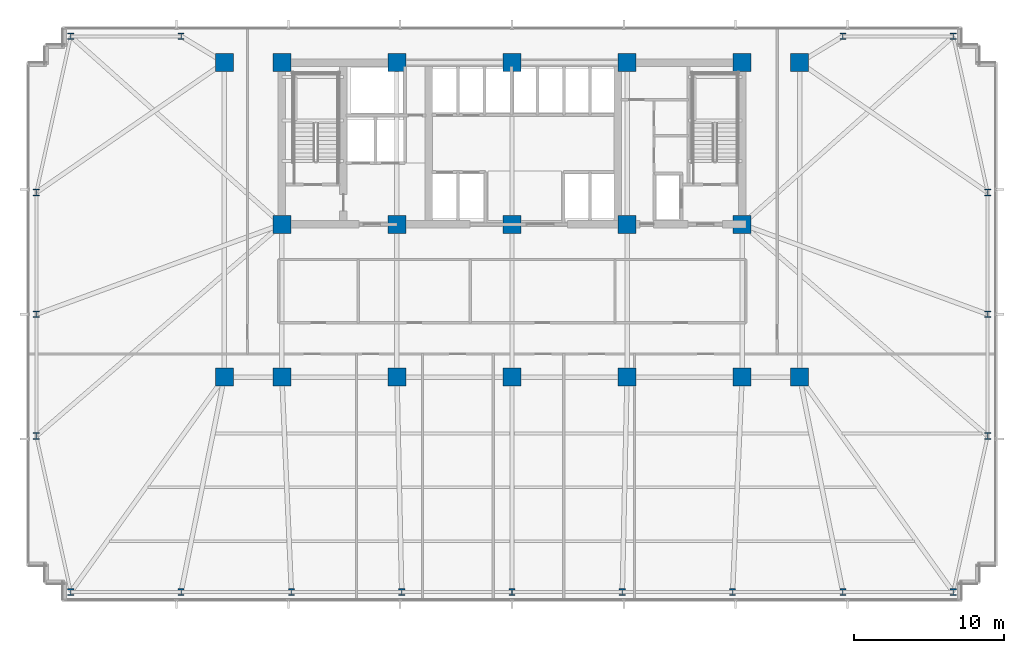
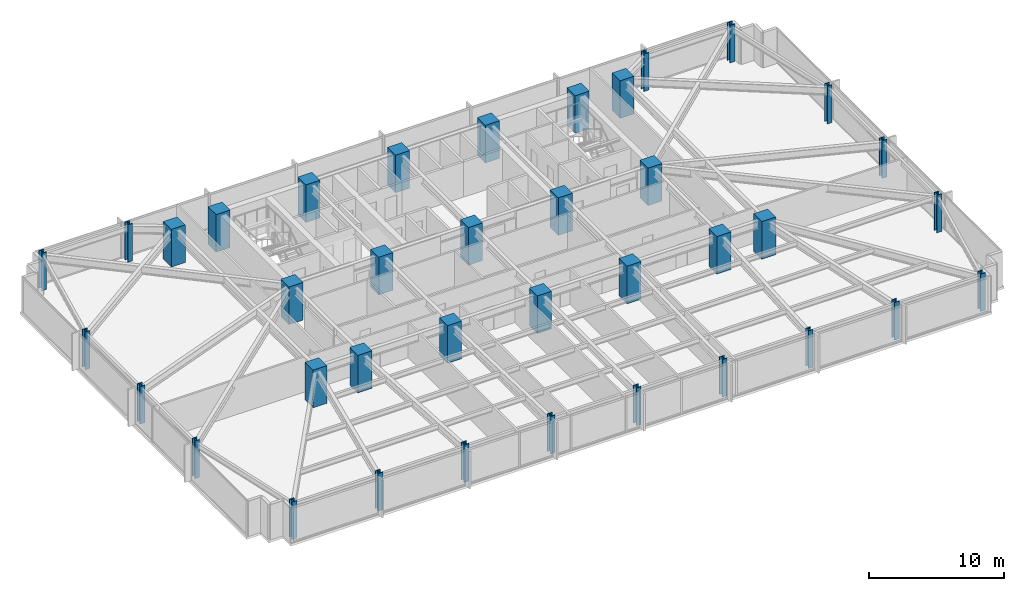
# One storey, part 1 of 33: 38 columns.
"""IFC4 building model written with IfcOpenShell, lengths in metres."""

import ifcopenshell
import ifcopenshell.guid

model = None  # the IFC model being written
_history = None  # IfcOwnerHistory: only IFC2X3 demands one
_inside = {}  # id of a spatial element -> (the spatial element, [elements in it])
_under = {}  # id of a project, library or spatial element -> (it, [spatial elements below it])
_declared = {}  # id of a project -> (the project, [libraries it declares])
_typed = {}  # id of a type object -> (the type object, [elements of that type])
_made_of = {}  # id of a material, layer set ... -> (it, [elements and type objects made of it])


def new_model(schema):
    """Start an empty IFC model of exactly this schema.

    Asked for "IFC4X3", IfcOpenShell would pick the latest addendum, in which some entities
    have other attributes; the version numbers below select the first issue.
    IFC2X3 requires an IfcOwnerHistory on every rooted entity: one is made here for all.
    """
    global model, _history
    if schema == "IFC4X3":
        model = ifcopenshell.file(schema_version=(4, 3, 0, 0))
    else:
        model = ifcopenshell.file(schema=schema)
    _inside.clear()
    _under.clear()
    _declared.clear()
    _typed.clear()
    _made_of.clear()
    _history = None
    if model.schema == "IFC2X3":
        org = make("IfcOrganization", Name="unknown")
        user = make(
            "IfcPersonAndOrganization",
            ThePerson=make("IfcPerson", FamilyName="unknown"),
            TheOrganization=org,
        )
        app = make(
            "IfcApplication",
            ApplicationDeveloper=org,
            Version="unknown",
            ApplicationFullName="unknown",
            ApplicationIdentifier="unknown",
        )
        _history = make(
            "IfcOwnerHistory",
            OwningUser=user,
            OwningApplication=app,
            ChangeAction="ADDED",
            CreationDate=0,
        )
    return model


def make(cls, **values):
    """One entity of the class cls with the attributes given. An attribute that is None is left unset."""
    return model.create_entity(
        cls, **{name: value for name, value in values.items() if value is not None}
    )


def rooted(cls, **values):
    """An entity with a GlobalId (a new one), such as an element, a storey or a relation."""
    return make(cls, GlobalId=ifcopenshell.guid.new(), OwnerHistory=_history, **values)


def si_unit(unit_type, name, prefix=None):
    """IfcSIUnit, for example si_unit("LENGTHUNIT", "METRE", prefix="MILLI")."""
    return make("IfcSIUnit", UnitType=unit_type, Prefix=prefix, Name=name)


def assignment(units):
    """IfcUnitAssignment: the units of a project."""
    return None if units is None else make("IfcUnitAssignment", Units=units)


def point(xyz):
    """IfcCartesianPoint."""
    return None if xyz is None else make("IfcCartesianPoint", Coordinates=xyz)


def direction(xyz):
    """IfcDirection."""
    return None if xyz is None else make("IfcDirection", DirectionRatios=xyz)


def frame(location, z_axis=None, x_axis=None):
    """IfcAxis2Placement3D, a coordinate frame: its origin and axes. An axis left out is left unset."""
    return make(
        "IfcAxis2Placement3D",
        Location=point(location),
        Axis=direction(z_axis),
        RefDirection=direction(x_axis),
    )


def frame_2d(location, x_axis=None):
    """IfcAxis2Placement2D, a coordinate frame in the plane: its origin and x axis."""
    return make(
        "IfcAxis2Placement2D", Location=point(location), RefDirection=direction(x_axis)
    )


def origin():
    """The frame at (0, 0, 0) with its axes left unset."""
    return frame((0.0, 0.0, 0.0))


def origin_2d():
    """The frame at (0, 0) in the plane with its x axis left unset."""
    return frame_2d((0.0, 0.0))


def place(relative_to, where):
    """IfcLocalPlacement: puts the frame where relative to a parent placement (None: the world)."""
    return make(
        "IfcLocalPlacement", PlacementRelTo=relative_to, RelativePlacement=where
    )


def context(
    kind, dimensions, precision=None, world=None, true_north=None, identifier=None
):
    """IfcGeometricRepresentationContext, for example the 3D "Model" context."""
    return make(
        "IfcGeometricRepresentationContext",
        ContextIdentifier=identifier,
        ContextType=kind,
        CoordinateSpaceDimension=dimensions,
        Precision=precision,
        WorldCoordinateSystem=world,
        TrueNorth=true_north,
    )


def subcontext(parent, identifier, kind, view, scale=None):
    """IfcGeometricRepresentationSubContext, for example "Body" below "Model"."""
    return make(
        "IfcGeometricRepresentationSubContext",
        ContextIdentifier=identifier,
        ContextType=kind,
        ParentContext=parent,
        TargetScale=scale,
        TargetView=view,
    )


def project(units=None, contexts=None):
    """IfcProject with its units and contexts."""
    return rooted(
        "IfcProject",
        Name="project",
        RepresentationContexts=contexts,
        UnitsInContext=assignment(units),
    )


def spatial(cls, under=None, at=None, **own):
    """A site, building, storey or space (cls), placed at a placement, below another one or the project."""
    s = rooted(cls, ObjectPlacement=at, **own)
    if under is not None:
        _under.setdefault(under.id(), (under, []))[1].append(s)
    return s


def profile(cls, at=None, kind="AREA", **sizes):
    """A parametric profile (cls). Its sizes go by their IFC names, for example OverallWidth=200.0."""
    return make(cls, ProfileType=kind, Position=at, **sizes)


def rectangle(**sizes):
    """IfcRectangleProfileDef."""
    return profile("IfcRectangleProfileDef", **sizes)


def i_section(**sizes):
    """IfcIShapeProfileDef."""
    return profile("IfcIShapeProfileDef", **sizes)


def extrude(swept, where, along, depth):
    """IfcExtrudedAreaSolid: the profile swept, set in the frame where, extruded along a direction by depth."""
    return make(
        "IfcExtrudedAreaSolid",
        SweptArea=swept,
        Position=where,
        ExtrudedDirection=direction(along),
        Depth=depth,
    )


def shape(context_of_items, identifier, shape_type, items):
    """IfcShapeRepresentation: the items that make up one representation, for example the "Body"."""
    return make(
        "IfcShapeRepresentation",
        ContextOfItems=context_of_items,
        RepresentationIdentifier=identifier,
        RepresentationType=shape_type,
        Items=items,
    )


def material(Name=None, Category=None):
    """IfcMaterial."""
    return make("IfcMaterial", Name=Name, Category=Category)


def material_profile(
    of_material, cross_section, Name=None, Category=None, Priority=None
):
    """IfcMaterialProfile: a cross section and its material."""
    return make(
        "IfcMaterialProfile",
        Name=Name,
        Material=of_material,
        Profile=cross_section,
        Priority=Priority,
        Category=Category,
    )


def profile_set(profiles, Name=None, composite=None):
    """IfcMaterialProfileSet."""
    return make(
        "IfcMaterialProfileSet",
        Name=Name,
        MaterialProfiles=profiles,
        CompositeProfile=composite,
    )


def made_of(thing, what):
    """Note that an element or type object is made of a material, layer set ...; save() writes the relation."""
    if what is not None:
        _made_of.setdefault(what.id(), (what, []))[1].append(thing)
    return thing


def type_object(cls, material=None, **own):
    """A type object (cls), such as IfcWallType, which elements share."""
    return made_of(rooted(cls, **own), material)


def element(
    cls,
    number,
    at=None,
    inside=None,
    cuts=None,
    type_object=None,
    material=None,
    context=None,
    identifier="Body",
    shape_type=None,
    held_by="IfcProductDefinitionShape",
    body=None,
    shapes=None,
    **own,
):
    """One element of the class cls, such as IfcWall. Its Tag is "e" and its number.

    at: its placement. inside: the storey or other place that contains it. cuts: it is an
    opening in that element (IfcRelVoidsElement). A single representation is given by context,
    identifier, shape_type and body (its items); several are given by shapes. held_by: the class
    of the entity that holds the representations. save() writes the other relations.
    """
    e = rooted(cls, Tag="e%d" % number, ObjectPlacement=at, **own)
    if body is not None:
        shapes = [shape(context, identifier, shape_type, body)]
    if shapes is not None:
        e.Representation = make(held_by, Representations=shapes)
    if inside is not None:
        _inside.setdefault(inside.id(), (inside, []))[1].append(e)
    if cuts is not None:
        rooted(
            "IfcRelVoidsElement", RelatingBuildingElement=cuts, RelatedOpeningElement=e
        )
    if type_object is not None:
        _typed.setdefault(type_object.id(), (type_object, []))[1].append(e)
    return made_of(e, material)


def aggregate(whole, parts):
    """IfcRelAggregates: a whole, such as a stair, and the parts it consists of."""
    return rooted("IfcRelAggregates", RelatingObject=whole, RelatedObjects=parts)


def save(model, path):
    """Write the relations noted so far, then the file.

    IfcRelAggregates (storeys below a building ...), IfcRelContainedInSpatialStructure (elements
    in a storey), IfcRelDefinesByType, IfcRelAssociatesMaterial and IfcRelDeclares: one each for
    every whole, place, type object, material and project.
    """
    for whole, parts in _under.values():
        aggregate(whole, parts)
    for where, things in _inside.values():
        rooted(
            "IfcRelContainedInSpatialStructure",
            RelatedElements=things,
            RelatingStructure=where,
        )
    for kind, things in _typed.values():
        rooted("IfcRelDefinesByType", RelatedObjects=things, RelatingType=kind)
    for what, things in _made_of.values():
        rooted("IfcRelAssociatesMaterial", RelatedObjects=things, RelatingMaterial=what)
    for by, libraries in _declared.values():
        rooted("IfcRelDeclares", RelatingContext=by, RelatedDefinitions=libraries)
    model.write(path)


model = new_model("IFC4")

# Units and contexts
model_context = context("Model", 3, precision=1e-05, world=origin(), true_north=direction((0.0, 1.0)))
body_context = subcontext(model_context, "Body", "Model", "MODEL_VIEW")
ifc_project = project(units=[si_unit("LENGTHUNIT", "METRE"), si_unit("AREAUNIT", "SQUARE_METRE"), si_unit("VOLUMEUNIT", "CUBIC_METRE"), si_unit("PLANEANGLEUNIT", "RADIAN"), si_unit("MASSUNIT", "GRAM", prefix="KILO")], contexts=[model_context])

# Site, building, storey
site_placement = place(None, origin())
site = spatial("IfcSite", under=ifc_project, at=site_placement, CompositionType="ELEMENT")
building_placement = place(site_placement, origin())
building = spatial("IfcBuilding", under=site, at=building_placement, Name="Yelkora Congress Tower", CompositionType="ELEMENT")
storey_placement = place(building_placement, frame((0.0, 0.0, 54.199951171875)))
storey = spatial("IfcBuildingStorey", under=building, at=storey_placement, Name="L13", CompositionType="ELEMENT", Elevation=54.199951171875)

# Columns
ifc_material_1 = material(Name="Steel S460M", Category="steel")
ifc_material_profile_1 = material_profile(ifc_material_1, i_section(OverallWidth=0.41796875, OverallDepth=0.455078125, WebThickness=0.0419921875, FlangeThickness=0.068115234375, FilletRadius=0.014892578125, at=origin_2d()), Name="HD 400x551")
ifc_profile_set_1 = profile_set([ifc_material_profile_1], Name="Steel S460M")
column_type_1 = type_object("IfcColumnType", Name="COL-HD-551-EXT", PredefinedType="COLUMN", material=ifc_profile_set_1)
for number, where, z_axis, x_axis, name in (
    (1, (8.949951171875, 10.85009765625, 0.0), (0.0, 0.0, 1.0), (1.0, 0.0, 0.0), "L13 Perimeter Column S01"),
    (2, (16.3125, 10.85009765625, 0.0), (0.0, 0.0, 1.0), (1.0, 0.0, 0.0), "L13 Perimeter Column S02"),
    (3, (23.675048828125, 10.85009765625, 0.0), (0.0, 0.0, 1.0), (1.0, 0.0, 0.0), "L13 Perimeter Column S03"),
    (4, (31.03759765625, 10.85009765625, 0.0), (0.0, 0.0, 1.0), (1.0, 0.0, 0.0), "L13 Perimeter Column S04"),
    (5, (38.39990234375, 10.85009765625, 0.0), (0.0, 0.0, 1.0), (1.0, 0.0, 0.0), "L13 Perimeter Column S05"),
    (6, (45.762451171875, 10.85009765625, 0.0), (0.0, 0.0, 1.0), (1.0, 0.0, 0.0), "L13 Perimeter Column S06"),
    (7, (53.125, 10.85009765625, 0.0), (0.0, 0.0, 1.0), (1.0, 0.0, 0.0), "L13 Perimeter Column S07"),
    (8, (60.487548828125, 10.85009765625, 0.0), (0.0, 0.0, 1.0), (1.0, 0.0, 0.0), "L13 Perimeter Column S08"),
    (9, (67.85009765625, 10.85009765625, 0.0), (0.0, 0.0, 1.0), (1.0, 0.0, 0.0), "L13 Perimeter Column S09"),
    (10, (8.949951171875, 47.949951171875, 0.0), (0.0, 0.0, 1.0), (1.0, 0.0, 0.0), "L13 Perimeter Column N01"),
    (11, (16.3125, 47.949951171875, 0.0), (0.0, 0.0, 1.0), (1.0, 0.0, 0.0), "L13 Perimeter Column N02"),
    (12, (60.487548828125, 47.949951171875, 0.0), (0.0, 0.0, 1.0), (1.0, 0.0, 0.0), "L13 Perimeter Column N08"),
    (13, (67.85009765625, 47.949951171875, 0.0), (0.0, 0.0, 1.0), (1.0, 0.0, 0.0), "L13 Perimeter Column N09"),
    (14, (6.64990234375, 21.27490234375, 0.0), (0.0, 0.0, 1.0), (1.0, 0.0, 0.0), "L13 Perimeter Column W01"),
    (15, (70.14990234375, 21.27490234375, 0.0), (0.0, 0.0, 1.0), (1.0, 0.0, 0.0), "L13 Perimeter Column E01"),
    (16, (6.64990234375, 29.39990234375, 0.0), (0.0, 0.0, 1.0), (1.0, 0.0, 0.0), "L13 Perimeter Column W02"),
    (17, (70.14990234375, 29.39990234375, 0.0), (0.0, 0.0, 1.0), (1.0, 0.0, 0.0), "L13 Perimeter Column E02"),
    (18, (6.64990234375, 37.52490234375, 0.0), (0.0, 0.0, 1.0), (1.0, 0.0, 0.0), "L13 Perimeter Column W03"),
    (19, (70.14990234375, 37.52490234375, 0.0), (0.0, 0.0, 1.0), (1.0, 0.0, 0.0), "L13 Perimeter Column E03"),
):
    element("IfcColumn", number, at=place(storey_placement, frame(where, z_axis=z_axis, x_axis=x_axis)), inside=storey, type_object=column_type_1, Name=name, PredefinedType="COLUMN", context=body_context, shape_type="SweptSolid", body=[
        extrude(i_section(OverallWidth=0.41796875, OverallDepth=0.455078125, WebThickness=0.0419921875, FlangeThickness=0.068115234375, FilletRadius=0.014892578125, at=origin_2d()), origin(), (0.0, 0.0, 1.0), 3.400146484375),
    ])
ifc_material_2 = material(Name="Concrete C60/75", Category="concrete")
ifc_material_profile_2 = material_profile(ifc_material_2, rectangle(XDim=1.199951171875, YDim=1.199951171875, at=origin_2d()), Name="RC 1200x1200")
ifc_profile_set_2 = profile_set([ifc_material_profile_2], Name="Concrete C60/75")
column_type_2 = type_object("IfcColumnType", Name="COL-RC-1200", PredefinedType="COLUMN", material=ifc_profile_set_2)
for number, where, z_axis, x_axis, name in (
    (20, (23.0400390625, 35.39990234375, 0.0), (0.0, 0.0, 1.0), (1.0, 0.0, 0.0), "L13 Mega Column MC-S1"),
    (21, (23.0400390625, 46.199951171875, 0.0), (0.0, 0.0, 1.0), (1.0, 0.0, 0.0), "L13 Mega Column MC-N1"),
    (22, (23.0400390625, 25.199951171875, 0.0), (0.0, 0.0, 1.0), (1.0, 0.0, 0.0), "L13 Mega Column MC-D1"),
    (23, (30.719970703125, 35.39990234375, 0.0), (0.0, 0.0, 1.0), (1.0, 0.0, 0.0), "L13 Mega Column MC-S2"),
    (24, (30.719970703125, 46.199951171875, 0.0), (0.0, 0.0, 1.0), (1.0, 0.0, 0.0), "L13 Mega Column MC-N2"),
    (25, (30.719970703125, 25.199951171875, 0.0), (0.0, 0.0, 1.0), (1.0, 0.0, 0.0), "L13 Mega Column MC-D2"),
    (26, (38.39990234375, 35.39990234375, 0.0), (0.0, 0.0, 1.0), (1.0, 0.0, 0.0), "L13 Mega Column MC-S3"),
    (27, (38.39990234375, 46.199951171875, 0.0), (0.0, 0.0, 1.0), (1.0, 0.0, 0.0), "L13 Mega Column MC-N3"),
    (28, (38.39990234375, 25.199951171875, 0.0), (0.0, 0.0, 1.0), (1.0, 0.0, 0.0), "L13 Mega Column MC-D3"),
    (29, (46.080078125, 35.39990234375, 0.0), (0.0, 0.0, 1.0), (1.0, 0.0, 0.0), "L13 Mega Column MC-S4"),
    (30, (46.080078125, 46.199951171875, 0.0), (0.0, 0.0, 1.0), (1.0, 0.0, 0.0), "L13 Mega Column MC-N4"),
    (31, (46.080078125, 25.199951171875, 0.0), (0.0, 0.0, 1.0), (1.0, 0.0, 0.0), "L13 Mega Column MC-D4"),
    (32, (53.760009765625, 35.39990234375, 0.0), (0.0, 0.0, 1.0), (1.0, 0.0, 0.0), "L13 Mega Column MC-S5"),
    (33, (53.760009765625, 46.199951171875, 0.0), (0.0, 0.0, 1.0), (1.0, 0.0, 0.0), "L13 Mega Column MC-N5"),
    (34, (53.760009765625, 25.199951171875, 0.0), (0.0, 0.0, 1.0), (1.0, 0.0, 0.0), "L13 Mega Column MC-D5"),
    (35, (19.199951171875, 25.199951171875, 0.0), (0.0, 0.0, 1.0), (1.0, 0.0, 0.0), "L13 Mega Column MC-F1"),
    (36, (57.60009765625, 25.199951171875, 0.0), (0.0, 0.0, 1.0), (1.0, 0.0, 0.0), "L13 Mega Column MC-F2"),
    (37, (19.199951171875, 46.199951171875, 0.0), (0.0, 0.0, 1.0), (1.0, 0.0, 0.0), "L13 Mega Column MC-F3"),
    (38, (57.60009765625, 46.199951171875, 0.0), (0.0, 0.0, 1.0), (1.0, 0.0, 0.0), "L13 Mega Column MC-F4"),
):
    element("IfcColumn", number, at=place(storey_placement, frame(where, z_axis=z_axis, x_axis=x_axis)), inside=storey, type_object=column_type_2, Name=name, PredefinedType="COLUMN", context=body_context, shape_type="SweptSolid", body=[
        extrude(rectangle(XDim=1.199951171875, YDim=1.199951171875, at=origin_2d()), origin(), (0.0, 0.0, 1.0), 3.400146484375),
    ])

save(model, "model.ifc")
